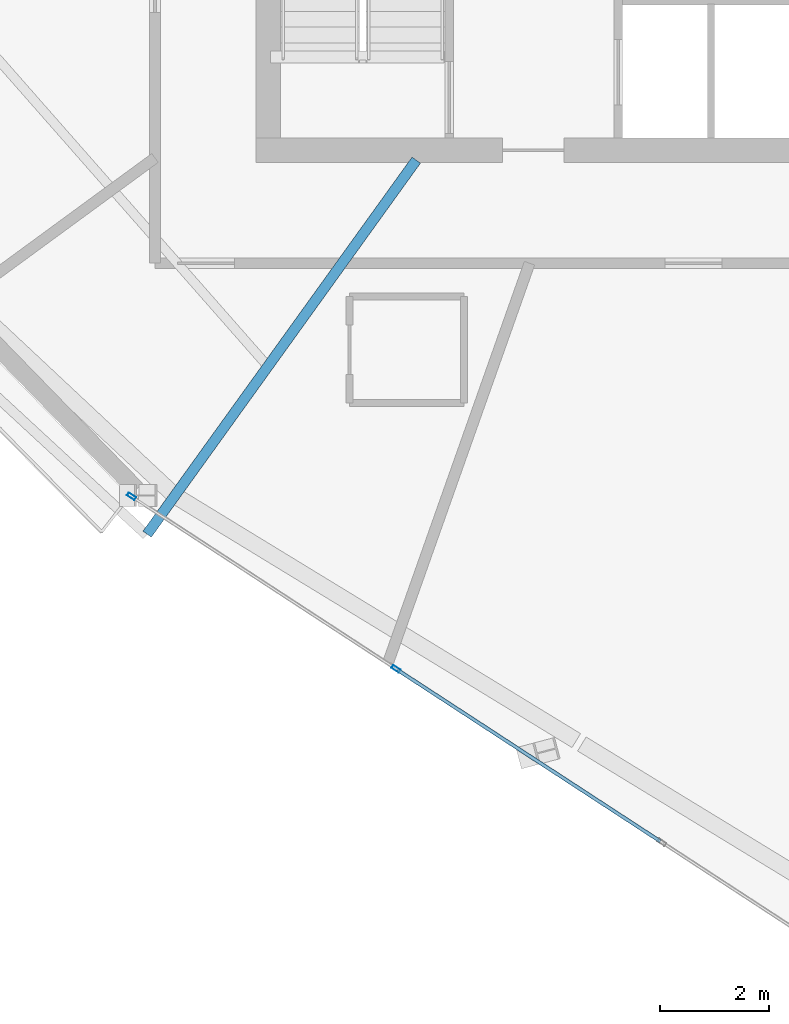
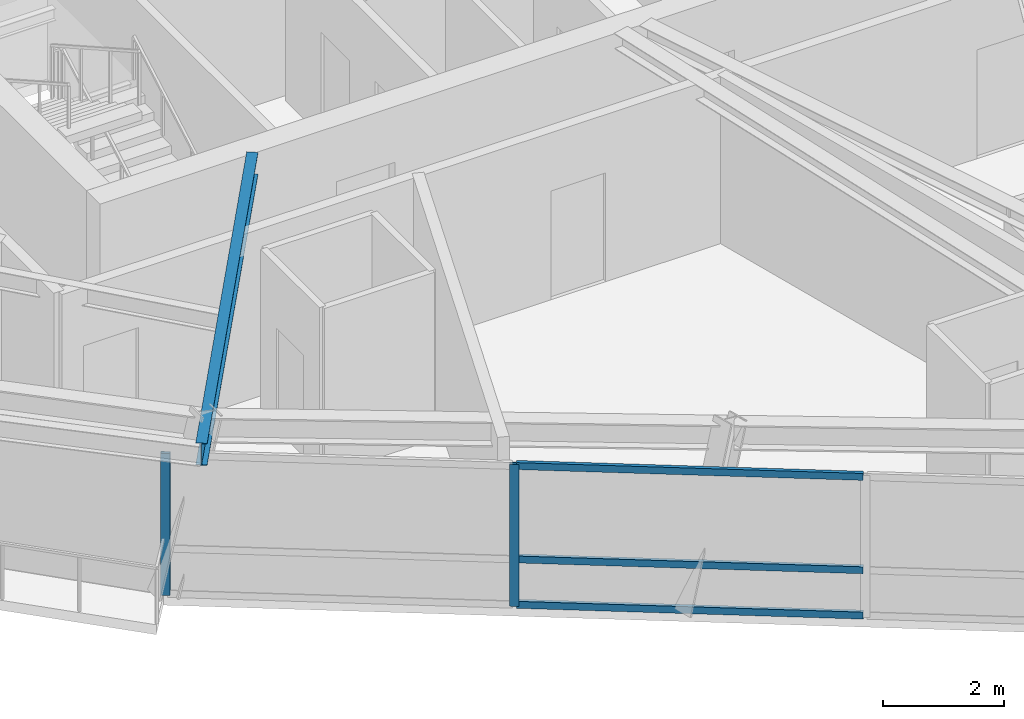
# One storey, part 2 of 14: 5 members, 1 beam, 1 element without a shape of its own.
"""IFC4 building model written with IfcOpenShell, lengths in metres."""

from ifc_helpers import new_model, si_unit, direction, frame, origin, origin_2d, place, context, subcontext, project, spatial, hollow_rectangle, i_section, extrude, source, transform, mapped, material, material_profile, profile_set, type_object, element, aggregate, save


model = new_model("IFC4")

# Units and contexts
model_context = context("Model", 3, precision=1e-05, world=origin(), true_north=direction((0.0, 1.0)))
body_context = subcontext(model_context, "Body", "Model", "MODEL_VIEW")
ifc_project = project(units=[si_unit("LENGTHUNIT", "METRE"), si_unit("AREAUNIT", "SQUARE_METRE"), si_unit("VOLUMEUNIT", "CUBIC_METRE"), si_unit("PLANEANGLEUNIT", "RADIAN"), si_unit("MASSUNIT", "GRAM", prefix="KILO")], contexts=[model_context])

# Site, building, storey
site_placement = place(None, origin())
site = spatial("IfcSite", under=ifc_project, at=site_placement, CompositionType="ELEMENT")
building_placement = place(site_placement, origin())
building = spatial("IfcBuilding", under=site, at=building_placement, Name="Olszyna Solenne Hotel", CompositionType="ELEMENT")
storey_placement = place(building_placement, frame((0.0, 0.0, 252.5)))
storey = spatial("IfcBuildingStorey", under=building, at=storey_placement, Name="L67", CompositionType="ELEMENT", Elevation=252.5)

# Beam
ifc_material_1 = material(Name="Steel S355J2", Category="steel")
ifc_material_profile_1 = material_profile(ifc_material_1, i_section(OverallWidth=0.18994140625, OverallDepth=0.449951171875, WebThickness=0.009521484375, FlangeThickness=0.0146484375, at=origin_2d()), Name="IPE 450", Category="load-bearing")
ifc_profile_set_1 = profile_set([ifc_material_profile_1], Name="Steel S355J2")
beam_type = type_object("IfcBeamType", Name="BM-F4", PredefinedType="BEAM", material=ifc_profile_set_1)
shared_shape_1 = source(origin(), body_context, "Body", "SweptSolid", [
    extrude(i_section(OverallWidth=0.18994140625, OverallDepth=0.449951171875, WebThickness=0.009521484375, FlangeThickness=0.0146484375, at=origin_2d()), origin(), (0.0, 0.0, 1.0), 8.453857421875),
])
beam_placement = place(storey_placement, frame((27.655517578125, 12.228515625, 3.155029296875), z_axis=(0.584056682765, 0.811712874924, 0.0), x_axis=(-0.811712874924, 0.584056682765, 0.0)))
element("IfcBeam", 1, at=beam_placement, inside=storey, type_object=beam_type, Name="Radial floor girder BM-F4 B-L67-1987", PredefinedType="BEAM", context=body_context, shape_type="MappedRepresentation", body=[
    mapped(shared_shape_1, transform((0.0, 0.0, 0.0), x_axis=(1.0, 0.0, 0.0), y_axis=(0.0, 1.0, 0.0), z_axis=(0.0, 0.0, 1.0), scale=1.0)),
])

# Curtain wall, members
ifc_material_2 = material(Name="Anodised bronze aluminium", Category="aluminium")
curtain_wall_type = type_object("IfcCurtainWallType", Name="CW-SYS-4", PredefinedType="NOTDEFINED", material=ifc_material_2)
curtain_wall_placement = place(storey_placement, origin())
curtain_wall = element("IfcCurtainWall", 2, at=curtain_wall_placement, inside=storey, type_object=curtain_wall_type, Name="Unitised curtain wall CW-SYS-4 CW-L67-01", PredefinedType="NOTDEFINED")
ifc_material_profile_2 = material_profile(ifc_material_2, hollow_rectangle(XDim=0.06494140625, YDim=0.159912109375, WallThickness=0.00390625, at=origin_2d()), Name="MULL 160x65x4", Category="load-bearing")
ifc_profile_set_2 = profile_set([ifc_material_profile_2], Name="Anodised bronze aluminium")
member_type_1 = type_object("IfcMemberType", Name="CW-M3", PredefinedType="MULLION", material=ifc_profile_set_2)
shared_shape_2 = source(origin(), body_context, "Body", "SweptSolid", [
    extrude(hollow_rectangle(XDim=0.06494140625, YDim=0.159912109375, WallThickness=0.00390625, at=origin_2d()), origin(), (0.0, 0.0, 1.0), 2.8720703125),
])
member_1_placement = place(storey_placement, frame((27.36865234375, 12.92236328125, 0.0), z_axis=(0.0, 0.0, 1.0), x_axis=(0.546408299047, 0.837518937537, 0.0)))
member_1 = element("IfcMember", 3, at=member_1_placement, type_object=member_type_1, Name="Curtain-wall mullion CW-M3 CM-L67-01-01", PredefinedType="MULLION", context=body_context, shape_type="MappedRepresentation", body=[
    mapped(shared_shape_2, transform((0.0, 0.0, 0.0), x_axis=(1.0, 0.0, 0.0), y_axis=(0.0, 1.0, 0.0), z_axis=(0.0, 0.0, 1.0), scale=1.0)),
])
member_2_placement = place(storey_placement, frame((32.2197265625, 9.75732421875, 0.0), z_axis=(0.0, 0.0, 1.0), x_axis=(0.546408299047, 0.837518937537, 0.0)))
member_2 = element("IfcMember", 4, at=member_2_placement, type_object=member_type_1, Name="Curtain-wall mullion CW-M3 CM-L67-01-02", PredefinedType="MULLION", context=body_context, shape_type="MappedRepresentation", body=[
    mapped(shared_shape_2, transform((0.0, 0.0, 0.0), x_axis=(1.0, 0.0, 0.0), y_axis=(0.0, 1.0, 0.0), z_axis=(0.0, 0.0, 1.0), scale=1.0)),
])
ifc_material_profile_3 = material_profile(ifc_material_2, hollow_rectangle(XDim=0.06494140625, YDim=0.139892578125, WallThickness=0.00390625, at=origin_2d()), Name="TRAN 140x65x4", Category="load-bearing")
ifc_profile_set_3 = profile_set([ifc_material_profile_3], Name="Anodised bronze aluminium")
member_type_2 = type_object("IfcMemberType", Name="CW-T2", PredefinedType="USERDEFINED", material=ifc_profile_set_3)
shared_shape_3 = source(origin(), body_context, "Body", "SweptSolid", [
    extrude(hollow_rectangle(XDim=0.06494140625, YDim=0.139892578125, WallThickness=0.00390625, at=origin_2d()), origin(), (0.0, 0.0, 1.0), 5.759765625),
])
member_3_placement = place(storey_placement, frame((32.246826171875, 9.73974609375, 0.032470703125), z_axis=(0.837519515554, -0.546407413078, 0.0), x_axis=(0.546407413078, 0.837519515554, 0.0)))
member_3 = element("IfcMember", 5, at=member_3_placement, type_object=member_type_2, Name="Curtain-wall transom CW-T2 CT-L67-01-04", ObjectType="TRANSOM", PredefinedType="USERDEFINED", context=body_context, shape_type="MappedRepresentation", body=[
    mapped(shared_shape_3, transform((0.0, 0.0, 0.0), x_axis=(1.0, 0.0, 0.0), y_axis=(0.0, 1.0, 0.0), z_axis=(0.0, 0.0, 1.0), scale=1.0)),
])
member_4_placement = place(storey_placement, frame((32.246826171875, 9.73974609375, 0.949951171875), z_axis=(0.837519515554, -0.546407413078, 0.0), x_axis=(0.546407413078, 0.837519515554, 0.0)))
member_4 = element("IfcMember", 6, at=member_4_placement, type_object=member_type_2, Name="Curtain-wall transom CW-T2 CT-L67-01-05", ObjectType="TRANSOM", PredefinedType="USERDEFINED", context=body_context, shape_type="MappedRepresentation", body=[
    mapped(shared_shape_3, transform((0.0, 0.0, 0.0), x_axis=(1.0, 0.0, 0.0), y_axis=(0.0, 1.0, 0.0), z_axis=(0.0, 0.0, 1.0), scale=1.0)),
])
member_5_placement = place(storey_placement, frame((32.246826171875, 9.73974609375, 2.839599609375), z_axis=(0.837519515554, -0.546407413078, 0.0), x_axis=(0.546407413078, 0.837519515554, 0.0)))
member_5 = element("IfcMember", 7, at=member_5_placement, type_object=member_type_2, Name="Curtain-wall transom CW-T2 CT-L67-01-06", ObjectType="TRANSOM", PredefinedType="USERDEFINED", context=body_context, shape_type="MappedRepresentation", body=[
    mapped(shared_shape_3, transform((0.0, 0.0, 0.0), x_axis=(1.0, 0.0, 0.0), y_axis=(0.0, 1.0, 0.0), z_axis=(0.0, 0.0, 1.0), scale=1.0)),
])
aggregate(curtain_wall, [member_1, member_2, member_3, member_4, member_5])

save(model, "model.ifc")
